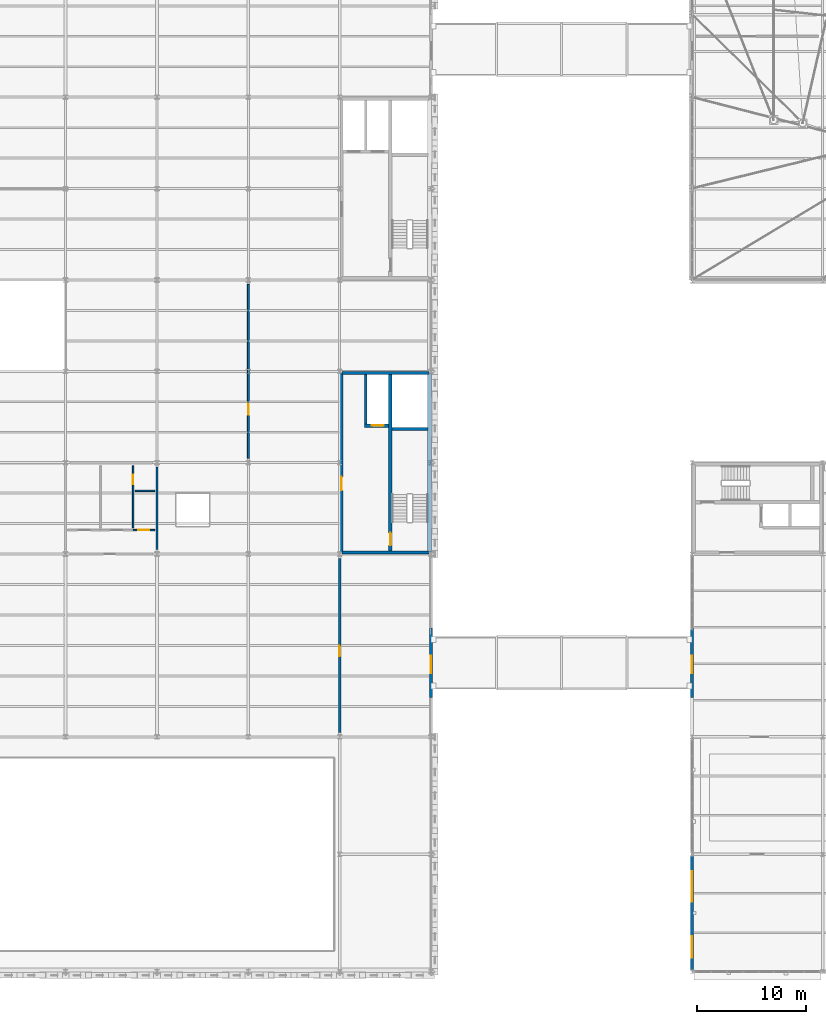
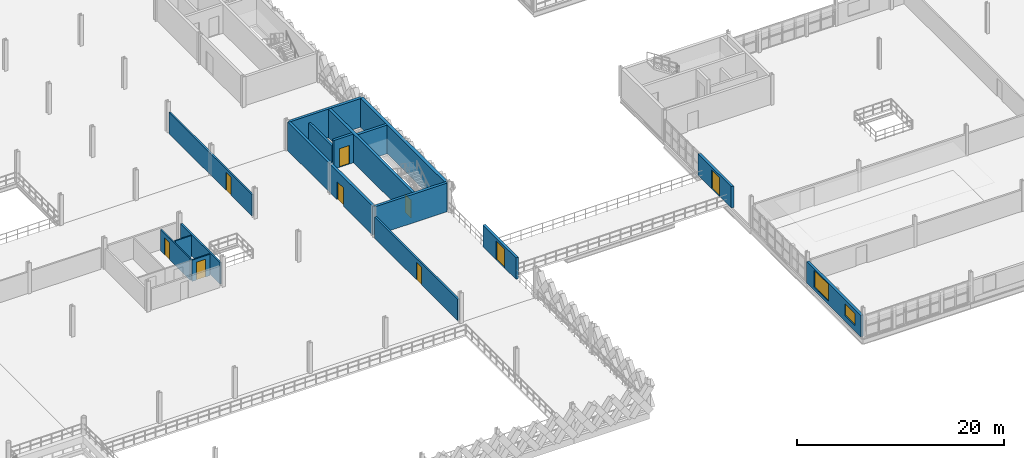
# One storey, part 85 of 101: 17 walls, 9 doors, 2 windows, 11 openings.
"""IFC4 building model written with IfcOpenShell, lengths in metres."""

import ifcopenshell
import ifcopenshell.guid

model = None  # the IFC model being written
_history = None  # IfcOwnerHistory: only IFC2X3 demands one
_inside = {}  # id of a spatial element -> (the spatial element, [elements in it])
_under = {}  # id of a project, library or spatial element -> (it, [spatial elements below it])
_declared = {}  # id of a project -> (the project, [libraries it declares])
_typed = {}  # id of a type object -> (the type object, [elements of that type])
_made_of = {}  # id of a material, layer set ... -> (it, [elements and type objects made of it])


def new_model(schema):
    """Start an empty IFC model of exactly this schema.

    Asked for "IFC4X3", IfcOpenShell would pick the latest addendum, in which some entities
    have other attributes; the version numbers below select the first issue.
    IFC2X3 requires an IfcOwnerHistory on every rooted entity: one is made here for all.
    """
    global model, _history
    if schema == "IFC4X3":
        model = ifcopenshell.file(schema_version=(4, 3, 0, 0))
    else:
        model = ifcopenshell.file(schema=schema)
    _inside.clear()
    _under.clear()
    _declared.clear()
    _typed.clear()
    _made_of.clear()
    _history = None
    if model.schema == "IFC2X3":
        org = make("IfcOrganization", Name="unknown")
        user = make(
            "IfcPersonAndOrganization",
            ThePerson=make("IfcPerson", FamilyName="unknown"),
            TheOrganization=org,
        )
        app = make(
            "IfcApplication",
            ApplicationDeveloper=org,
            Version="unknown",
            ApplicationFullName="unknown",
            ApplicationIdentifier="unknown",
        )
        _history = make(
            "IfcOwnerHistory",
            OwningUser=user,
            OwningApplication=app,
            ChangeAction="ADDED",
            CreationDate=0,
        )
    return model


def make(cls, **values):
    """One entity of the class cls with the attributes given. An attribute that is None is left unset."""
    return model.create_entity(
        cls, **{name: value for name, value in values.items() if value is not None}
    )


def rooted(cls, **values):
    """An entity with a GlobalId (a new one), such as an element, a storey or a relation."""
    return make(cls, GlobalId=ifcopenshell.guid.new(), OwnerHistory=_history, **values)


def si_unit(unit_type, name, prefix=None):
    """IfcSIUnit, for example si_unit("LENGTHUNIT", "METRE", prefix="MILLI")."""
    return make("IfcSIUnit", UnitType=unit_type, Prefix=prefix, Name=name)


def assignment(units):
    """IfcUnitAssignment: the units of a project."""
    return None if units is None else make("IfcUnitAssignment", Units=units)


def point(xyz):
    """IfcCartesianPoint."""
    return None if xyz is None else make("IfcCartesianPoint", Coordinates=xyz)


def direction(xyz):
    """IfcDirection."""
    return None if xyz is None else make("IfcDirection", DirectionRatios=xyz)


def frame(location, z_axis=None, x_axis=None):
    """IfcAxis2Placement3D, a coordinate frame: its origin and axes. An axis left out is left unset."""
    return make(
        "IfcAxis2Placement3D",
        Location=point(location),
        Axis=direction(z_axis),
        RefDirection=direction(x_axis),
    )


def frame_2d(location, x_axis=None):
    """IfcAxis2Placement2D, a coordinate frame in the plane: its origin and x axis."""
    return make(
        "IfcAxis2Placement2D", Location=point(location), RefDirection=direction(x_axis)
    )


def origin():
    """The frame at (0, 0, 0) with its axes left unset."""
    return frame((0.0, 0.0, 0.0))


def place(relative_to, where):
    """IfcLocalPlacement: puts the frame where relative to a parent placement (None: the world)."""
    return make(
        "IfcLocalPlacement", PlacementRelTo=relative_to, RelativePlacement=where
    )


def context(
    kind, dimensions, precision=None, world=None, true_north=None, identifier=None
):
    """IfcGeometricRepresentationContext, for example the 3D "Model" context."""
    return make(
        "IfcGeometricRepresentationContext",
        ContextIdentifier=identifier,
        ContextType=kind,
        CoordinateSpaceDimension=dimensions,
        Precision=precision,
        WorldCoordinateSystem=world,
        TrueNorth=true_north,
    )


def subcontext(parent, identifier, kind, view, scale=None):
    """IfcGeometricRepresentationSubContext, for example "Body" below "Model"."""
    return make(
        "IfcGeometricRepresentationSubContext",
        ContextIdentifier=identifier,
        ContextType=kind,
        ParentContext=parent,
        TargetScale=scale,
        TargetView=view,
    )


def project(units=None, contexts=None):
    """IfcProject with its units and contexts."""
    return rooted(
        "IfcProject",
        Name="project",
        RepresentationContexts=contexts,
        UnitsInContext=assignment(units),
    )


def spatial(cls, under=None, at=None, **own):
    """A site, building, storey or space (cls), placed at a placement, below another one or the project."""
    s = rooted(cls, ObjectPlacement=at, **own)
    if under is not None:
        _under.setdefault(under.id(), (under, []))[1].append(s)
    return s


def profile(cls, at=None, kind="AREA", **sizes):
    """A parametric profile (cls). Its sizes go by their IFC names, for example OverallWidth=200.0."""
    return make(cls, ProfileType=kind, Position=at, **sizes)


def rectangle(**sizes):
    """IfcRectangleProfileDef."""
    return profile("IfcRectangleProfileDef", **sizes)


def extrude(swept, where, along, depth):
    """IfcExtrudedAreaSolid: the profile swept, set in the frame where, extruded along a direction by depth."""
    return make(
        "IfcExtrudedAreaSolid",
        SweptArea=swept,
        Position=where,
        ExtrudedDirection=direction(along),
        Depth=depth,
    )


def shape(context_of_items, identifier, shape_type, items):
    """IfcShapeRepresentation: the items that make up one representation, for example the "Body"."""
    return make(
        "IfcShapeRepresentation",
        ContextOfItems=context_of_items,
        RepresentationIdentifier=identifier,
        RepresentationType=shape_type,
        Items=items,
    )


def material(Name=None, Category=None):
    """IfcMaterial."""
    return make("IfcMaterial", Name=Name, Category=Category)


def layer(
    of_material, thickness, ventilated=None, Name=None, Category=None, Priority=None
):
    """IfcMaterialLayer: one layer of a wall or slab, of a material (None: an air gap)."""
    return make(
        "IfcMaterialLayer",
        Material=of_material,
        LayerThickness=thickness,
        IsVentilated=ventilated,
        Name=Name,
        Category=Category,
        Priority=Priority,
    )


def layer_set(layers, Name=None):
    """IfcMaterialLayerSet."""
    return make("IfcMaterialLayerSet", MaterialLayers=layers, LayerSetName=Name)


def made_of(thing, what):
    """Note that an element or type object is made of a material, layer set ...; save() writes the relation."""
    if what is not None:
        _made_of.setdefault(what.id(), (what, []))[1].append(thing)
    return thing


def type_object(cls, material=None, **own):
    """A type object (cls), such as IfcWallType, which elements share."""
    return made_of(rooted(cls, **own), material)


def element(
    cls,
    number,
    at=None,
    inside=None,
    cuts=None,
    type_object=None,
    material=None,
    context=None,
    identifier="Body",
    shape_type=None,
    held_by="IfcProductDefinitionShape",
    body=None,
    shapes=None,
    **own,
):
    """One element of the class cls, such as IfcWall. Its Tag is "e" and its number.

    at: its placement. inside: the storey or other place that contains it. cuts: it is an
    opening in that element (IfcRelVoidsElement). A single representation is given by context,
    identifier, shape_type and body (its items); several are given by shapes. held_by: the class
    of the entity that holds the representations. save() writes the other relations.
    """
    e = rooted(cls, Tag="e%d" % number, ObjectPlacement=at, **own)
    if body is not None:
        shapes = [shape(context, identifier, shape_type, body)]
    if shapes is not None:
        e.Representation = make(held_by, Representations=shapes)
    if inside is not None:
        _inside.setdefault(inside.id(), (inside, []))[1].append(e)
    if cuts is not None:
        rooted(
            "IfcRelVoidsElement", RelatingBuildingElement=cuts, RelatedOpeningElement=e
        )
    if type_object is not None:
        _typed.setdefault(type_object.id(), (type_object, []))[1].append(e)
    return made_of(e, material)


def fill(opening, filler):
    """IfcRelFillsElement: the door or window that sits in an opening."""
    return rooted(
        "IfcRelFillsElement",
        RelatingOpeningElement=opening,
        RelatedBuildingElement=filler,
    )


def aggregate(whole, parts):
    """IfcRelAggregates: a whole, such as a stair, and the parts it consists of."""
    return rooted("IfcRelAggregates", RelatingObject=whole, RelatedObjects=parts)


def save(model, path):
    """Write the relations noted so far, then the file.

    IfcRelAggregates (storeys below a building ...), IfcRelContainedInSpatialStructure (elements
    in a storey), IfcRelDefinesByType, IfcRelAssociatesMaterial and IfcRelDeclares: one each for
    every whole, place, type object, material and project.
    """
    for whole, parts in _under.values():
        aggregate(whole, parts)
    for where, things in _inside.values():
        rooted(
            "IfcRelContainedInSpatialStructure",
            RelatedElements=things,
            RelatingStructure=where,
        )
    for kind, things in _typed.values():
        rooted("IfcRelDefinesByType", RelatedObjects=things, RelatingType=kind)
    for what, things in _made_of.values():
        rooted("IfcRelAssociatesMaterial", RelatedObjects=things, RelatingMaterial=what)
    for by, libraries in _declared.values():
        rooted("IfcRelDeclares", RelatingContext=by, RelatedDefinitions=libraries)
    model.write(path)


model = new_model("IFC4")

# Units and contexts
model_context = context("Model", 3, precision=1e-05, world=origin(), true_north=direction((0.0, 1.0)))
body_context = subcontext(model_context, "Body", "Model", "MODEL_VIEW")
ifc_project = project(units=[si_unit("LENGTHUNIT", "METRE"), si_unit("AREAUNIT", "SQUARE_METRE"), si_unit("VOLUMEUNIT", "CUBIC_METRE"), si_unit("PLANEANGLEUNIT", "RADIAN"), si_unit("MASSUNIT", "GRAM", prefix="KILO"), si_unit("THERMODYNAMICTEMPERATUREUNIT", "KELVIN"), si_unit("POWERUNIT", "WATT")], contexts=[model_context])

# Site, building, storey
site_placement = place(None, origin())
site = spatial("IfcSite", under=ifc_project, at=site_placement, CompositionType="ELEMENT")
building_placement = place(site_placement, origin())
building = spatial("IfcBuilding", under=site, at=building_placement, Name="Tembeka Court Mobility Hub", CompositionType="ELEMENT")
storey_placement = place(building_placement, frame((0.0, 0.0, 5.39990234375)))
storey = spatial("IfcBuildingStorey", under=building, at=storey_placement, Name="L01", CompositionType="ELEMENT", Elevation=5.39990234375)

# Wall, opening, door
ifc_material_1 = material(Name="Precast concrete C45/55", Category="concrete")
ifc_layer_1 = layer(ifc_material_1, 0.280029296875)
ifc_layer_set_1 = layer_set([ifc_layer_1], Name="Precast concrete C45/55")
wall_type_1 = type_object("IfcWallType", Name="WL-EW02", PredefinedType="STANDARD", material=ifc_layer_set_1)
wall_1_placement = place(storey_placement, frame((92.39990234375, 25.199951171875, 0.0), z_axis=(0.0, 0.0, 1.0), x_axis=(0.0, 1.0, 0.0)))
wall_1 = element("IfcWall", 1, at=wall_1_placement, inside=storey, type_object=wall_type_1, Name="External wall EW02 (EW-L01-0081)", PredefinedType="STANDARD", context=body_context, shape_type="SweptSolid", body=[
    extrude(rectangle(XDim=6.400146484375, YDim=0.280029296875, at=frame_2d((3.2001953125, 0.0))), origin(), (0.0, 0.0, 1.0), 2.53515625),
])
opening_1_placement = place(wall_1_placement, frame((2.25, 0.0, 0.0)))
opening_1 = element("IfcOpeningElement", 2, at=opening_1_placement, cuts=wall_1, Name="Opening ED01", PredefinedType="OPENING", context=body_context, shape_type="SweptSolid", body=[
    extrude(rectangle(XDim=1.60009765625, YDim=2.199951171875, at=frame_2d((0.800048828125, 1.10009765625))), frame((0.0, 0.14990234375, 0.0), z_axis=(0.0, -1.0, 0.0), x_axis=(1.0, 0.0, 0.0)), (0.0, 0.0, 1.0), 0.300048828125),
])
ifc_material_2 = material(Name="Powder-coated aluminium glazed doorset", Category="aluminium")
door_type_1 = type_object("IfcDoorType", Name="DR-ED01", OperationType="NOTDEFINED", PredefinedType="DOOR", material=ifc_material_2)
door_1_placement = place(opening_1_placement, frame((1.60009765625, 0.0, 0.0), z_axis=(0.0, 0.0, 1.0), x_axis=(-1.0, 0.0, 0.0)))
door_1 = element("IfcDoor", 3, at=door_1_placement, inside=storey, type_object=door_type_1, Name="Bridge 1 West portal door ED01", OperationType="DOUBLE_DOOR_SINGLE_SWING", OverallHeight=2.199951171875, OverallWidth=1.60009765625, PredefinedType="DOOR", context=body_context, shape_type="SweptSolid", body=[
    extrude(rectangle(XDim=1.60009765625, YDim=2.199951171875, at=frame_2d((0.800048828125, 1.10009765625))), frame((0.0, 0.02490234375, 0.0), z_axis=(0.0, -1.0, 0.0), x_axis=(1.0, 0.0, 0.0)), (0.0, 0.0, 1.0), 0.050048828125),
])
fill(opening_1, door_1)

wall_2_placement = place(storey_placement, frame((116.39990234375, 25.199951171875, 0.0), z_axis=(0.0, 0.0, 1.0), x_axis=(0.0, 1.0, 0.0)))
wall_2 = element("IfcWall", 4, at=wall_2_placement, inside=storey, type_object=wall_type_1, Name="External wall EW02 (EW-L01-0082)", PredefinedType="STANDARD", context=body_context, shape_type="SweptSolid", body=[
    extrude(rectangle(XDim=6.400146484375, YDim=0.280029296875, at=frame_2d((3.2001953125, 0.0))), origin(), (0.0, 0.0, 1.0), 2.53515625),
])
opening_2_placement = place(wall_2_placement, frame((2.25, 0.0, 0.0)))
opening_2 = element("IfcOpeningElement", 5, at=opening_2_placement, cuts=wall_2, Name="Opening ED01", PredefinedType="OPENING", context=body_context, shape_type="SweptSolid", body=[
    extrude(rectangle(XDim=1.60009765625, YDim=2.199951171875, at=frame_2d((0.800048828125, 1.10009765625))), frame((0.0, 0.14990234375, 0.0), z_axis=(0.0, -1.0, 0.0), x_axis=(1.0, 0.0, 0.0)), (0.0, 0.0, 1.0), 0.300048828125),
])
door_2_placement = place(opening_2_placement, origin())
door_2 = element("IfcDoor", 6, at=door_2_placement, inside=storey, type_object=door_type_1, Name="Bridge 1 East portal door ED01", OperationType="DOUBLE_DOOR_SINGLE_SWING", OverallHeight=2.199951171875, OverallWidth=1.60009765625, PredefinedType="DOOR", context=body_context, shape_type="SweptSolid", body=[
    extrude(rectangle(XDim=1.60009765625, YDim=2.199951171875, at=frame_2d((0.800048828125, 1.10009765625))), frame((0.0, 0.02490234375, 0.0), z_axis=(0.0, -1.0, 0.0), x_axis=(1.0, 0.0, 0.0)), (0.0, 0.0, 1.0), 0.050048828125),
])
fill(opening_2, door_2)

# Wall, openings, windows
wall_3_placement = place(storey_placement, frame((116.39990234375, 0.158447265625, 0.0), z_axis=(0.0, 0.0, 1.0), x_axis=(0.0, 1.0, 0.0)))
wall_3 = element("IfcWall", 7, at=wall_3_placement, inside=storey, type_object=wall_type_1, Name="External wall EW02 (EW-L01-0091)", PredefinedType="STANDARD", context=body_context, shape_type="SweptSolid", body=[
    extrude(rectangle(XDim=10.483154296875, YDim=0.280029296875, at=frame_2d((5.24169921875, 0.0))), origin(), (0.0, 0.0, 1.0), 2.53515625),
])
opening_3_placement = place(wall_3_placement, frame((1.1201171875, 0.0, 0.64990234375)))
opening_3 = element("IfcOpeningElement", 8, at=opening_3_placement, cuts=wall_3, Name="Opening WN16", PredefinedType="OPENING", context=body_context, shape_type="SweptSolid", body=[
    extrude(rectangle(XDim=2.0, YDim=1.39990234375, at=frame_2d((1.0, 0.699951171875))), frame((0.0, 0.14990234375, 0.0), z_axis=(0.0, -1.0, 0.0), x_axis=(1.0, 0.0, 0.0)), (0.0, 0.0, 1.0), 0.300048828125),
])
opening_4_placement = place(wall_3_placement, frame((6.2900390625, 0.0, 0.39501953125)))
opening_4 = element("IfcOpeningElement", 9, at=opening_4_placement, cuts=wall_3, Name="Opening WN17", PredefinedType="OPENING", context=body_context, shape_type="SweptSolid", body=[
    extrude(rectangle(XDim=2.800048828125, YDim=2.0, at=frame_2d((1.39990234375, 1.0))), frame((0.0, 0.14990234375, 0.0), z_axis=(0.0, -1.0, 0.0), x_axis=(1.0, 0.0, 0.0)), (0.0, 0.0, 1.0), 0.300048828125),
])
ifc_material_3 = material(Name="Laminated solar-control low-E glass", Category="glass")
window_type_1 = type_object("IfcWindowType", Name="WN-W16", PartitioningType="SINGLE_PANEL", PredefinedType="WINDOW", material=ifc_material_3)
window_1_placement = place(opening_3_placement, origin())
window_1 = element("IfcWindow", 10, at=window_1_placement, inside=storey, type_object=window_type_1, Name="Window WN16-0032", OverallHeight=1.39990234375, OverallWidth=2.0, PartitioningType="SINGLE_PANEL", PredefinedType="WINDOW", context=body_context, shape_type="SweptSolid", body=[
    extrude(rectangle(XDim=2.0, YDim=1.39990234375, at=frame_2d((1.0, 0.699951171875))), frame((0.0, 0.030029296875, 0.0), z_axis=(0.0, -1.0, 0.0), x_axis=(1.0, 0.0, 0.0)), (0.0, 0.0, 1.0), 0.06005859375),
])
fill(opening_3, window_1)
window_type_2 = type_object("IfcWindowType", Name="WN-W17", PartitioningType="SINGLE_PANEL", PredefinedType="WINDOW", material=ifc_material_3)
window_2_placement = place(opening_4_placement, origin())
window_2 = element("IfcWindow", 11, at=window_2_placement, inside=storey, type_object=window_type_2, Name="Window WN17-0033", OverallHeight=2.0, OverallWidth=2.800048828125, PartitioningType="SINGLE_PANEL", PredefinedType="WINDOW", context=body_context, shape_type="SweptSolid", body=[
    extrude(rectangle(XDim=2.800048828125, YDim=2.0, at=frame_2d((1.39990234375, 1.0))), frame((0.0, 0.030029296875, 0.0), z_axis=(0.0, -1.0, 0.0), x_axis=(1.0, 0.0, 0.0)), (0.0, 0.0, 1.0), 0.06005859375),
])
fill(opening_4, window_2)

# Walls
ifc_material_4 = material(Name="Concrete C40/50", Category="concrete")
ifc_layer_2 = layer(ifc_material_4, 0.25)
ifc_layer_set_2 = layer_set([ifc_layer_2], Name="Concrete C40/50")
wall_type_2 = type_object("IfcWallType", Name="WL-IW01", PredefinedType="PARTITIONING", material=ifc_layer_set_2)
wall_4_placement = place(storey_placement, frame((86.39990234375, 50.35009765625, 0.0), z_axis=(0.0, 0.0, 1.0), x_axis=(0.0, 1.0, 0.0)))
element("IfcWall", 12, at=wall_4_placement, inside=storey, type_object=wall_type_2, Name="Wall IW01 (IW-L01-0208)", PredefinedType="PARTITIONING", context=body_context, shape_type="SweptSolid", body=[
    extrude(rectangle(XDim=4.5498046875, YDim=0.25, at=frame_2d((2.27490234375, 0.0))), origin(), (0.0, 0.0, 1.0), 2.525146484375),
])
ifc_material_5 = material(Name="Concrete blockwork masonry", Category="masonry")
ifc_layer_3 = layer(ifc_material_5, 0.199951171875)
ifc_layer_set_3 = layer_set([ifc_layer_3], Name="Concrete blockwork masonry")
wall_type_3 = type_object("IfcWallType", Name="WL-IW02", PredefinedType="PARTITIONING", material=ifc_layer_set_3)
wall_5_placement = place(storey_placement, frame((67.199951171875, 38.800048828125, 0.0), z_axis=(0.0, 0.0, 1.0), x_axis=(0.0, 1.0, 0.0)))
element("IfcWall", 13, at=wall_5_placement, inside=storey, type_object=wall_type_3, Name="Wall IW02 (IW-L01-0359)", PredefinedType="PARTITIONING", context=body_context, shape_type="SweptSolid", body=[
    extrude(rectangle(XDim=7.599853515625, YDim=0.199951171875, at=frame_2d((3.7998046875, 0.0))), origin(), (0.0, 0.0, 1.0), 2.525146484375),
])

# Wall, opening, door
wall_6_placement = place(storey_placement, frame((84.0, 22.0, 0.0), z_axis=(0.0, 0.0, 1.0), x_axis=(0.0, 1.0, 0.0)))
wall_6 = element("IfcWall", 14, at=wall_6_placement, inside=storey, type_object=wall_type_3, Name="Wall IW02 (IW-L01-0433)", PredefinedType="PARTITIONING", context=body_context, shape_type="SweptSolid", body=[
    extrude(rectangle(XDim=16.0, YDim=0.199951171875, at=frame_2d((8.0, 0.0))), origin(), (0.0, 0.0, 1.0), 2.525146484375),
])
opening_5_placement = place(wall_6_placement, frame((7.0, 0.0, 0.0)))
opening_5 = element("IfcOpeningElement", 15, at=opening_5_placement, cuts=wall_6, Name="Opening ID01", PredefinedType="OPENING", context=body_context, shape_type="SweptSolid", body=[
    extrude(rectangle(XDim=0.949951171875, YDim=2.10009765625, at=frame_2d((0.47509765625, 1.050048828125))), frame((0.0, 0.10986328125, 0.0), z_axis=(0.0, -1.0, 0.0), x_axis=(1.0, 0.0, 0.0)), (0.0, 0.0, 1.0), 0.219970703125),
])
door_type_2 = type_object("IfcDoorType", Name="DR-ID01", OperationType="NOTDEFINED", PredefinedType="DOOR", material=ifc_material_2)
door_3_placement = place(opening_5_placement, origin())
door_3 = element("IfcDoor", 16, at=door_3_placement, inside=storey, type_object=door_type_2, Name="Door ID01-0206", OperationType="SINGLE_SWING_LEFT", OverallHeight=2.10009765625, OverallWidth=0.949951171875, PredefinedType="DOOR", context=body_context, shape_type="SweptSolid", body=[
    extrude(rectangle(XDim=0.949951171875, YDim=2.10009765625, at=frame_2d((0.47509765625, 1.050048828125))), frame((0.0, 0.02490234375, 0.0), z_axis=(0.0, -1.0, 0.0), x_axis=(1.0, 0.0, 0.0)), (0.0, 0.0, 1.0), 0.050048828125),
])
fill(opening_5, door_3)

ifc_layer_4 = layer(ifc_material_5, 0.179931640625)
ifc_layer_set_4 = layer_set([ifc_layer_4], Name="Concrete blockwork masonry")
wall_type_4 = type_object("IfcWallType", Name="WL-IW03", PredefinedType="PARTITIONING", material=ifc_layer_set_4)
wall_7_placement = place(storey_placement, frame((75.60009765625, 47.199951171875, 0.0), z_axis=(0.0, 0.0, 1.0), x_axis=(0.0, 1.0, 0.0)))
wall_7 = element("IfcWall", 17, at=wall_7_placement, inside=storey, type_object=wall_type_4, Name="Wall IW03 (IW-L01-0435)", PredefinedType="PARTITIONING", context=body_context, shape_type="SweptSolid", body=[
    extrude(rectangle(XDim=16.0, YDim=0.179931640625, at=frame_2d((8.0, 0.0))), origin(), (0.0, 0.0, 1.0), 2.525146484375),
])
opening_6_placement = place(wall_7_placement, frame((4.0, 0.0, 0.0)))
opening_6 = element("IfcOpeningElement", 18, at=opening_6_placement, cuts=wall_7, Name="Opening FD05", PredefinedType="OPENING", context=body_context, shape_type="SweptSolid", body=[
    extrude(rectangle(XDim=1.0, YDim=2.14990234375, at=frame_2d((0.5, 1.074951171875))), frame((0.0, 0.10009765625, 0.0), z_axis=(0.0, -1.0, 0.0), x_axis=(1.0, 0.0, 0.0)), (0.0, 0.0, 1.0), 0.199951171875),
])
ifc_material_6 = material(Name="Galvanised steel fire/shutter doorset", Category="steel")
door_type_3 = type_object("IfcDoorType", Name="DR-FD05", OperationType="NOTDEFINED", PredefinedType="DOOR", material=ifc_material_6)
door_4_placement = place(opening_6_placement, origin())
door_4 = element("IfcDoor", 19, at=door_4_placement, inside=storey, type_object=door_type_3, Name="Door FD05-0208", OperationType="SINGLE_SWING_LEFT", OverallHeight=2.14990234375, OverallWidth=1.0, PredefinedType="DOOR", context=body_context, shape_type="SweptSolid", body=[
    extrude(rectangle(XDim=1.0, YDim=2.14990234375, at=frame_2d((0.5, 1.074951171875))), frame((0.0, 0.02490234375, 0.0), z_axis=(0.0, -1.0, 0.0), x_axis=(1.0, 0.0, 0.0)), (0.0, 0.0, 1.0), 0.050048828125),
])
fill(opening_6, door_4)

ifc_material_7 = material(Name="Moisture-resistant gypsum partition", Category="masonry")
ifc_layer_5 = layer(ifc_material_7, 0.139892578125)
ifc_layer_set_5 = layer_set([ifc_layer_5], Name="Moisture-resistant gypsum partition")
wall_type_5 = type_object("IfcWallType", Name="WL-IW05", PredefinedType="PARTITIONING", material=ifc_layer_set_5)
wall_8_placement = place(storey_placement, frame((65.0, 40.60009765625, 0.0), z_axis=(0.0, 0.0, 1.0), x_axis=(1.0, 0.0, 0.0)))
wall_8 = element("IfcWall", 20, at=wall_8_placement, inside=storey, type_object=wall_type_5, Name="Wall IW05 (IW-L01-0362)", PredefinedType="PARTITIONING", context=body_context, shape_type="SweptSolid", body=[
    extrude(rectangle(XDim=2.0, YDim=0.139892578125, at=frame_2d((1.0, 0.0))), origin(), (0.0, 0.0, 1.0), 2.525146484375),
])
opening_7_placement = place(wall_8_placement, frame((0.5, 0.0, 0.0)))
opening_7 = element("IfcOpeningElement", 21, at=opening_7_placement, cuts=wall_8, Name="Opening ID02", PredefinedType="OPENING", context=body_context, shape_type="SweptSolid", body=[
    extrude(rectangle(XDim=1.0, YDim=2.10009765625, at=frame_2d((0.5, 1.050048828125))), frame((0.0, 0.080078125, 0.0), z_axis=(0.0, -1.0, 0.0), x_axis=(1.0, 0.0, 0.0)), (0.0, 0.0, 1.0), 0.159912109375),
])
door_type_4 = type_object("IfcDoorType", Name="DR-ID02", OperationType="NOTDEFINED", PredefinedType="DOOR", material=ifc_material_2)
door_5_placement = place(opening_7_placement, origin())
door_5 = element("IfcDoor", 22, at=door_5_placement, inside=storey, type_object=door_type_4, Name="L01 accessible unisex WC door", OperationType="SINGLE_SWING_RIGHT", OverallHeight=2.10009765625, OverallWidth=1.0, PredefinedType="DOOR", context=body_context, shape_type="SweptSolid", body=[
    extrude(rectangle(XDim=1.0, YDim=2.10009765625, at=frame_2d((0.5, 1.050048828125))), frame((0.0, 0.02490234375, 0.0), z_axis=(0.0, -1.0, 0.0), x_axis=(1.0, 0.0, 0.0)), (0.0, 0.0, 1.0), 0.050048828125),
])
fill(opening_7, door_5)

wall_9_placement = place(storey_placement, frame((65.0, 40.800048828125, 0.0), z_axis=(0.0, 0.0, 1.0), x_axis=(0.0, 1.0, 0.0)))
wall_9 = element("IfcWall", 23, at=wall_9_placement, inside=storey, type_object=wall_type_5, Name="Wall IW05 (IW-L01-0364)", PredefinedType="PARTITIONING", context=body_context, shape_type="SweptSolid", body=[
    extrude(rectangle(XDim=5.699951171875, YDim=0.139892578125, at=frame_2d((2.85009765625, 0.0))), origin(), (0.0, 0.0, 1.0), 2.525146484375),
])
opening_8_placement = place(wall_9_placement, frame((4.0, 0.0, 0.0)))
opening_8 = element("IfcOpeningElement", 24, at=opening_8_placement, cuts=wall_9, Name="Opening ID08", PredefinedType="OPENING", context=body_context, shape_type="SweptSolid", body=[
    extrude(rectangle(XDim=0.89990234375, YDim=2.050048828125, at=frame_2d((0.449951171875, 1.02490234375))), frame((0.0, 0.080078125, 0.0), z_axis=(0.0, -1.0, 0.0), x_axis=(1.0, 0.0, 0.0)), (0.0, 0.0, 1.0), 0.159912109375),
])
door_type_5 = type_object("IfcDoorType", Name="DR-ID08", OperationType="NOTDEFINED", PredefinedType="DOOR", material=ifc_material_2)
door_6_placement = place(opening_8_placement, origin())
door_6 = element("IfcDoor", 25, at=door_6_placement, inside=storey, type_object=door_type_5, Name="L01 cleaner cupboard door", OperationType="SINGLE_SWING_LEFT", OverallHeight=2.050048828125, OverallWidth=0.89990234375, PredefinedType="DOOR", context=body_context, shape_type="SweptSolid", body=[
    extrude(rectangle(XDim=0.89990234375, YDim=2.050048828125, at=frame_2d((0.449951171875, 1.02490234375))), frame((0.0, 0.02490234375, 0.0), z_axis=(0.0, -1.0, 0.0), x_axis=(1.0, 0.0, 0.0)), (0.0, 0.0, 1.0), 0.050048828125),
])
fill(opening_8, door_6)

# Walls
wall_10_placement = place(storey_placement, frame((65.199951171875, 44.199951171875, 0.0), z_axis=(0.0, 0.0, 1.0), x_axis=(1.0, 0.0, 0.0)))
element("IfcWall", 26, at=wall_10_placement, inside=storey, type_object=wall_type_5, Name="Wall IW05 (IW-L01-0365)", PredefinedType="PARTITIONING", context=body_context, shape_type="SweptSolid", body=[
    extrude(rectangle(XDim=1.800048828125, YDim=0.139892578125, at=frame_2d((0.89990234375, 0.0))), origin(), (0.0, 0.0, 1.0), 2.525146484375),
])
ifc_layer_6 = layer(ifc_material_4, 0.300048828125)
ifc_layer_set_6 = layer_set([ifc_layer_6], Name="Concrete C40/50")
wall_type_6 = type_object("IfcWallType", Name="WL-SW01", PredefinedType="SHEAR", material=ifc_layer_set_6)
for number, where, z_axis, x_axis, name in (
    (27, (84.195556640625, 38.550048828125, 0.0), (0.0, 0.0, 1.0), (1.0, 0.0, 0.0), "Wall SW01 (IW-L01-0201)"),
    (28, (84.195556640625, 55.050048828125, 0.0), (0.0, 0.0, 1.0), (1.0, 0.0, 0.0), "Wall SW01 (IW-L01-0202)"),
):
    element("IfcWall", number, at=place(storey_placement, frame(where, z_axis=z_axis, x_axis=x_axis)), inside=storey, type_object=wall_type_6, Name=name, PredefinedType="SHEAR", context=body_context, shape_type="SweptSolid", body=[
        extrude(rectangle(XDim=8.009033203125, YDim=0.300048828125, at=frame_2d((4.00439453125, 0.0))), origin(), (0.0, 0.0, 1.0), 3.380126953125),
    ])
wall_11_placement = place(storey_placement, frame((88.800048828125, 49.89990234375, 0.0), z_axis=(0.0, 0.0, 1.0), x_axis=(1.0, 0.0, 0.0)))
element("IfcWall", 29, at=wall_11_placement, inside=storey, type_object=wall_type_6, Name="Wall SW01 (IW-L01-0203)", PredefinedType="SHEAR", context=body_context, shape_type="SweptSolid", body=[
    extrude(rectangle(XDim=3.300048828125, YDim=0.300048828125, at=frame_2d((1.64990234375, 0.0))), origin(), (0.0, 0.0, 1.0), 3.380126953125),
])

# Wall, opening, door
wall_12_placement = place(storey_placement, frame((84.14990234375, 38.58837890625, 0.0), z_axis=(0.0, 0.0, 1.0), x_axis=(0.0, 1.0, 0.0)))
wall_12 = element("IfcWall", 30, at=wall_12_placement, inside=storey, type_object=wall_type_6, Name="Wall SW01 (IW-L01-0205)", PredefinedType="SHEAR", context=body_context, shape_type="SweptSolid", body=[
    extrude(rectangle(XDim=16.423095703125, YDim=0.300048828125, at=frame_2d((8.21142578125, 0.0))), origin(), (0.0, 0.0, 1.0), 3.380126953125),
])
opening_9_placement = place(wall_12_placement, frame((5.66162109375, 0.0, 0.0)))
opening_9 = element("IfcOpeningElement", 31, at=opening_9_placement, cuts=wall_12, Name="Opening FD01", PredefinedType="OPENING", context=body_context, shape_type="SweptSolid", body=[
    extrude(rectangle(XDim=1.25, YDim=2.14990234375, at=frame_2d((0.625, 1.074951171875))), frame((0.0, 0.16015625, 0.0), z_axis=(0.0, -1.0, 0.0), x_axis=(1.0, 0.0, 0.0)), (0.0, 0.0, 1.0), 0.320068359375),
])
door_type_6 = type_object("IfcDoorType", Name="DR-FD01", OperationType="NOTDEFINED", PredefinedType="DOOR", material=ifc_material_6)
door_7_placement = place(opening_9_placement, origin())
door_7 = element("IfcDoor", 32, at=door_7_placement, inside=storey, type_object=door_type_6, Name="Door FD01-0096", OperationType="SINGLE_SWING_LEFT", OverallHeight=2.14990234375, OverallWidth=1.25, PredefinedType="DOOR", context=body_context, shape_type="SweptSolid", body=[
    extrude(rectangle(XDim=1.25, YDim=2.14990234375, at=frame_2d((0.625, 1.074951171875))), frame((0.0, 0.02490234375, 0.0), z_axis=(0.0, -1.0, 0.0), x_axis=(1.0, 0.0, 0.0)), (0.0, 0.0, 1.0), 0.050048828125),
])
fill(opening_9, door_7)

wall_13_placement = place(storey_placement, frame((88.64990234375, 38.699951171875, 0.0), z_axis=(0.0, 0.0, 1.0), x_axis=(0.0, 1.0, 0.0)))
wall_13 = element("IfcWall", 33, at=wall_13_placement, inside=storey, type_object=wall_type_6, Name="Wall SW01 (IW-L01-0206)", PredefinedType="SHEAR", context=body_context, shape_type="SweptSolid", body=[
    extrude(rectangle(XDim=16.199951171875, YDim=0.300048828125, at=frame_2d((8.10009765625, 0.0))), origin(), (0.0, 0.0, 1.0), 3.380126953125),
])
opening_10_placement = place(wall_13_placement, frame((0.5, 0.0, 0.0)))
opening_10 = element("IfcOpeningElement", 34, at=opening_10_placement, cuts=wall_13, Name="Opening FD03", PredefinedType="OPENING", context=body_context, shape_type="SweptSolid", body=[
    extrude(rectangle(XDim=1.14990234375, YDim=2.14990234375, at=frame_2d((0.574951171875, 1.074951171875))), frame((0.0, 0.16015625, 0.0), z_axis=(0.0, -1.0, 0.0), x_axis=(1.0, 0.0, 0.0)), (0.0, 0.0, 1.0), 0.320068359375),
])
door_type_7 = type_object("IfcDoorType", Name="DR-FD03", OperationType="NOTDEFINED", PredefinedType="DOOR", material=ifc_material_6)
door_8_placement = place(opening_10_placement, origin())
door_8 = element("IfcDoor", 35, at=door_8_placement, inside=storey, type_object=door_type_7, Name="Door FD03-0097", OperationType="SINGLE_SWING_RIGHT", OverallHeight=2.14990234375, OverallWidth=1.14990234375, PredefinedType="DOOR", context=body_context, shape_type="SweptSolid", body=[
    extrude(rectangle(XDim=1.14990234375, YDim=2.14990234375, at=frame_2d((0.574951171875, 1.074951171875))), frame((0.0, 0.02490234375, 0.0), z_axis=(0.0, -1.0, 0.0), x_axis=(1.0, 0.0, 0.0)), (0.0, 0.0, 1.0), 0.050048828125),
])
fill(opening_10, door_8)

wall_14_placement = place(storey_placement, frame((86.300048828125, 50.199951171875, 0.0), z_axis=(0.0, 0.0, 1.0), x_axis=(1.0, 0.0, 0.0)))
wall_14 = element("IfcWall", 36, at=wall_14_placement, inside=storey, type_object=wall_type_6, Name="Wall SW01 (IW-L01-0207)", PredefinedType="SHEAR", context=body_context, shape_type="SweptSolid", body=[
    extrude(rectangle(XDim=2.199951171875, YDim=0.300048828125, at=frame_2d((1.10009765625, 0.0))), origin(), (0.0, 0.0, 1.0), 3.380126953125),
])
opening_11_placement = place(wall_14_placement, frame((0.64990234375, 0.0, 0.0)))
opening_11 = element("IfcOpeningElement", 37, at=opening_11_placement, cuts=wall_14, Name="Opening LD01", PredefinedType="OPENING", context=body_context, shape_type="SweptSolid", body=[
    extrude(rectangle(XDim=1.10009765625, YDim=2.199951171875, at=frame_2d((0.550048828125, 1.10009765625))), frame((0.0, 0.16015625, 0.0), z_axis=(0.0, -1.0, 0.0), x_axis=(1.0, 0.0, 0.0)), (0.0, 0.0, 1.0), 0.320068359375),
])
door_type_8 = type_object("IfcDoorType", Name="DR-LD01", OperationType="SLIDING_TO_LEFT", PredefinedType="DOOR", material=ifc_material_6)
door_9_placement = place(opening_11_placement, origin())
door_9 = element("IfcDoor", 38, at=door_9_placement, inside=storey, type_object=door_type_8, Name="Lift LF06 landing door L01", OperationType="SLIDING_TO_LEFT", OverallHeight=2.199951171875, OverallWidth=1.10009765625, PredefinedType="DOOR", context=body_context, shape_type="SweptSolid", body=[
    extrude(rectangle(XDim=1.10009765625, YDim=2.199951171875, at=frame_2d((0.550048828125, 1.10009765625))), frame((0.0, 0.02490234375, 0.0), z_axis=(0.0, -1.0, 0.0), x_axis=(1.0, 0.0, 0.0)), (0.0, 0.0, 1.0), 0.050048828125),
])
fill(opening_11, door_9)

# Wall
ifc_layer_7 = layer(ifc_material_4, 0.35009765625)
ifc_layer_set_7 = layer_set([ifc_layer_7], Name="Concrete C40/50")
wall_type_7 = type_object("IfcWallType", Name="WL-SW02", PredefinedType="SHEAR", material=ifc_layer_set_7)
wall_15_placement = place(storey_placement, frame((92.25, 38.58837890625, 0.0), z_axis=(0.0, 0.0, 1.0), x_axis=(0.0, 1.0, 0.0)))
element("IfcWall", 39, at=wall_15_placement, inside=storey, type_object=wall_type_7, Name="Wall SW02 (IW-L01-0204)", PredefinedType="SHEAR", context=body_context, shape_type="SweptSolid", body=[
    extrude(rectangle(XDim=16.423095703125, YDim=0.35009765625, at=frame_2d((8.21142578125, 0.0))), origin(), (0.0, 0.0, 1.0), 3.380126953125),
])

save(model, "model.ifc")
